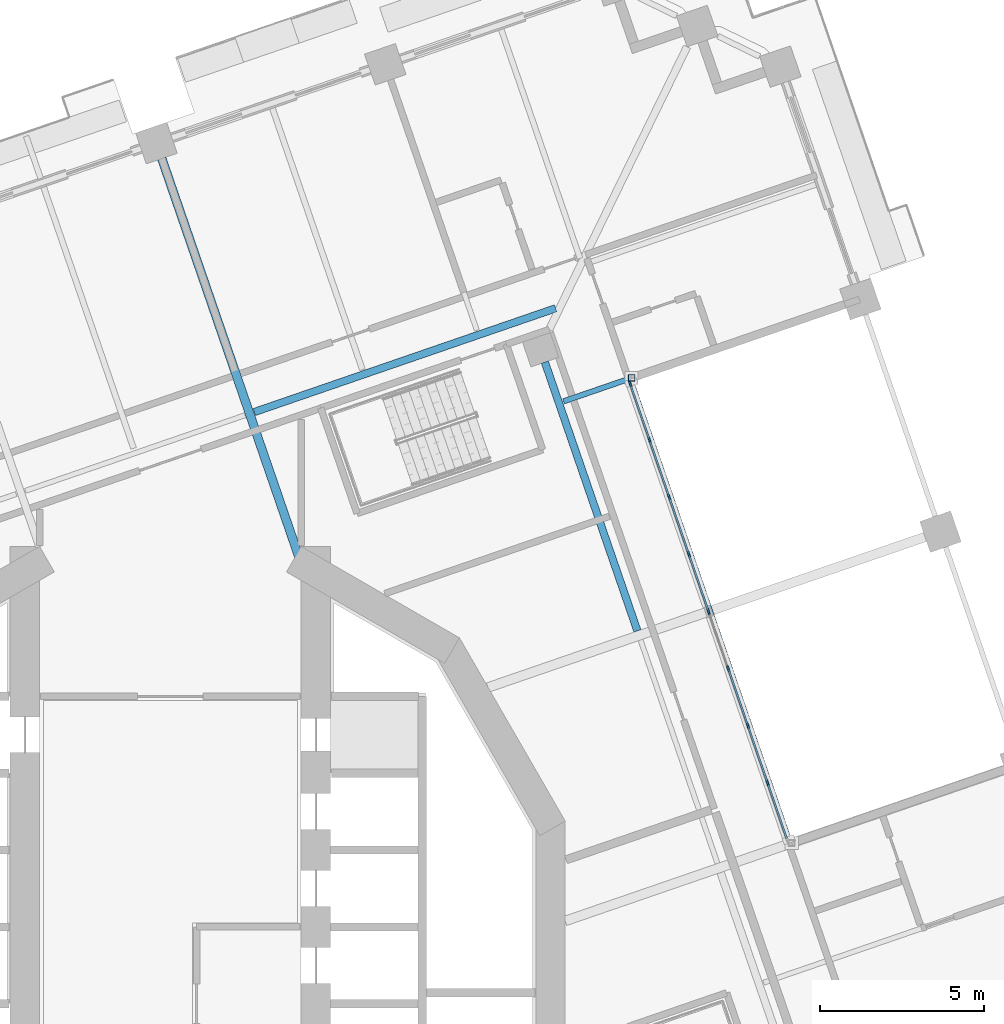
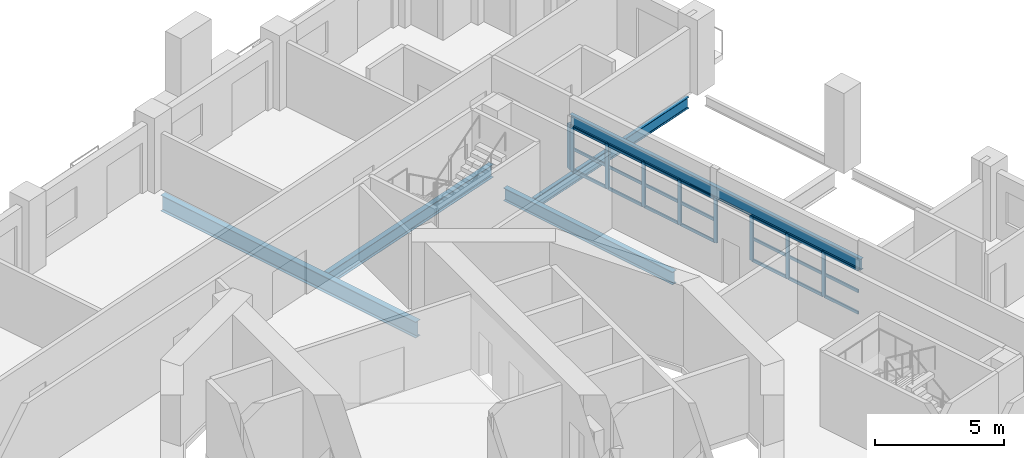
# One storey, part 4 of 19: 30 members, 5 beams, 1 element without a shape of its own.
"""IFC4 building model written with IfcOpenShell, lengths in metres."""

from ifc_helpers import new_model, si_unit, direction, frame, origin, origin_2d, place, context, subcontext, project, spatial, rectangle, hollow_rectangle, i_section, extrude, material, material_profile, profile_set, type_object, element, aggregate, save


model = new_model("IFC4")

# Units and contexts
model_context = context("Model", 3, precision=1e-05, world=origin(), true_north=direction((0.0, 1.0)))
body_context = subcontext(model_context, "Body", "Model", "MODEL_VIEW")
ifc_project = project(units=[si_unit("LENGTHUNIT", "METRE"), si_unit("AREAUNIT", "SQUARE_METRE"), si_unit("VOLUMEUNIT", "CUBIC_METRE"), si_unit("PLANEANGLEUNIT", "RADIAN"), si_unit("MASSUNIT", "GRAM", prefix="KILO")], contexts=[model_context])

# Site, building, storey
site_placement = place(None, origin())
site = spatial("IfcSite", under=ifc_project, at=site_placement, CompositionType="ELEMENT")
building_placement = place(site_placement, origin())
building = spatial("IfcBuilding", under=site, at=building_placement, Name="Cantera Rosa Tower", CompositionType="ELEMENT")
storey_placement = place(building_placement, frame((0.0, 0.0, 126.89990234375)))
storey = spatial("IfcBuildingStorey", under=building, at=storey_placement, Name="L26", CompositionType="ELEMENT", Elevation=126.89990234375)

# Curtain wall, members
ifc_material_1 = material(Name="Aluminium frame with clear glass", Category="aluminium")
curtain_wall_type = type_object("IfcCurtainWallType", Name="CW1 TERRACE POCKET GLAZING", PredefinedType="NOTDEFINED", material=ifc_material_1)
curtain_wall_placement = place(storey_placement, origin())
curtain_wall = element("IfcCurtainWall", 1, at=curtain_wall_placement, inside=storey, type_object=curtain_wall_type, Name="CW1 CW1", PredefinedType="NOTDEFINED")
ifc_material_2 = material(Name="Anodised bronze aluminium", Category="aluminium")
ifc_material_profile_1 = material_profile(ifc_material_2, rectangle(XDim=0.06005859375, YDim=0.179931640625, at=origin_2d()), Name="CW-MULLION 60x180 POCKET")
ifc_profile_set_1 = profile_set([ifc_material_profile_1], Name="Anodised bronze aluminium")
member_type_1 = type_object("IfcMemberType", Name="CW-MULLION 60x180 POCKET", PredefinedType="MULLION", material=ifc_profile_set_1)
member_1_placement = place(storey_placement, frame((18.2626953125, 4.399169921875, 0.0), z_axis=(0.0, 0.0, 1.0), x_axis=(-0.945518575605, -0.325568154441, 0.0)))
member_1 = element("IfcMember", 2, at=member_1_placement, type_object=member_type_1, Name="CW1 mullion 2", PredefinedType="MULLION", context=body_context, shape_type="SweptSolid", body=[
    extrude(rectangle(XDim=0.06005859375, YDim=0.179931640625, at=origin_2d()), origin(), (0.0, 0.0, 1.0), 2.10400390625),
])
member_2_placement = place(storey_placement, frame((17.660888671875, 6.147216796875, 0.0), z_axis=(0.0, 0.0, 1.0), x_axis=(-0.945518575605, -0.325568154441, 0.0)))
member_2 = element("IfcMember", 3, at=member_2_placement, type_object=member_type_1, Name="CW1 mullion 3", PredefinedType="MULLION", context=body_context, shape_type="SweptSolid", body=[
    extrude(rectangle(XDim=0.06005859375, YDim=0.179931640625, at=origin_2d()), origin(), (0.0, 0.0, 1.0), 2.10400390625),
])
member_3_placement = place(storey_placement, frame((17.058837890625, 7.895263671875, 0.0), z_axis=(0.0, 0.0, 1.0), x_axis=(-0.945518575605, -0.325568154441, 0.0)))
member_3 = element("IfcMember", 4, at=member_3_placement, type_object=member_type_1, Name="CW1 mullion 4", PredefinedType="MULLION", context=body_context, shape_type="SweptSolid", body=[
    extrude(rectangle(XDim=0.06005859375, YDim=0.179931640625, at=origin_2d()), origin(), (0.0, 0.0, 1.0), 2.10400390625),
])
member_4_placement = place(storey_placement, frame((16.45703125, 9.643310546875, 0.0), z_axis=(0.0, 0.0, 1.0), x_axis=(-0.945518575605, -0.325568154441, 0.0)))
member_4 = element("IfcMember", 5, at=member_4_placement, type_object=member_type_1, Name="CW1 mullion 5", PredefinedType="MULLION", context=body_context, shape_type="SweptSolid", body=[
    extrude(rectangle(XDim=0.06005859375, YDim=0.179931640625, at=origin_2d()), origin(), (0.0, 0.0, 1.0), 2.10400390625),
])
member_5_placement = place(storey_placement, frame((15.855224609375, 11.391357421875, 0.0), z_axis=(0.0, 0.0, 1.0), x_axis=(-0.945518575605, -0.325568154441, 0.0)))
member_5 = element("IfcMember", 6, at=member_5_placement, type_object=member_type_1, Name="CW1 mullion 6", PredefinedType="MULLION", context=body_context, shape_type="SweptSolid", body=[
    extrude(rectangle(XDim=0.06005859375, YDim=0.179931640625, at=origin_2d()), origin(), (0.0, 0.0, 1.0), 2.10400390625),
])
member_6_placement = place(storey_placement, frame((15.253173828125, 13.139404296875, 0.0), z_axis=(0.0, 0.0, 1.0), x_axis=(-0.945518575605, -0.325568154441, 0.0)))
member_6 = element("IfcMember", 7, at=member_6_placement, type_object=member_type_1, Name="CW1 mullion 7", PredefinedType="MULLION", context=body_context, shape_type="SweptSolid", body=[
    extrude(rectangle(XDim=0.06005859375, YDim=0.179931640625, at=origin_2d()), origin(), (0.0, 0.0, 1.0), 2.10400390625),
])
member_7_placement = place(storey_placement, frame((14.6513671875, 14.887451171875, 0.0), z_axis=(0.0, 0.0, 1.0), x_axis=(-0.945518575605, -0.325568154441, 0.0)))
member_7 = element("IfcMember", 8, at=member_7_placement, type_object=member_type_1, Name="CW1 mullion 8", PredefinedType="MULLION", context=body_context, shape_type="SweptSolid", body=[
    extrude(rectangle(XDim=0.06005859375, YDim=0.179931640625, at=origin_2d()), origin(), (0.0, 0.0, 1.0), 2.10400390625),
])
member_8_placement = place(storey_placement, frame((14.059326171875, 16.60693359375, 0.0), z_axis=(0.0, 0.0, 1.0), x_axis=(-0.945518575605, -0.325568154441, 0.0)))
member_8 = element("IfcMember", 9, at=member_8_placement, type_object=member_type_1, Name="CW1 mullion 9", PredefinedType="MULLION", context=body_context, shape_type="SweptSolid", body=[
    extrude(rectangle(XDim=0.06005859375, YDim=0.179931640625, at=origin_2d()), origin(), (0.0, 0.0, 1.0), 2.10400390625),
])
ifc_material_3 = material(Name="Anodised bronze aluminium", Category="aluminium")
ifc_material_profile_2 = material_profile(ifc_material_3, rectangle(XDim=0.06005859375, YDim=0.139892578125, at=origin_2d()), Name="CW-TRANSOM 60x140 POCKET")
ifc_profile_set_2 = profile_set([ifc_material_profile_2], Name="Anodised bronze aluminium")
member_type_2 = type_object("IfcMemberType", Name="CW-TRANSOM 60x140 POCKET", PredefinedType="USERDEFINED", material=ifc_profile_set_2)
member_9_placement = place(storey_placement, frame((18.84521484375, 2.7080078125, 0.030029296875), z_axis=(-0.325665527523, 0.945485041755, 0.0), x_axis=(-0.945485041755, -0.325665527523, 0.0)))
member_9 = element("IfcMember", 10, at=member_9_placement, type_object=member_type_2, Name="CW1 transom 1.1", ObjectType="TRANSOM", PredefinedType="USERDEFINED", context=body_context, shape_type="SweptSolid", body=[
    extrude(rectangle(XDim=0.06005859375, YDim=0.139892578125, at=origin_2d()), origin(), (0.0, 0.0, 1.0), 1.7587890625),
])
member_10_placement = place(storey_placement, frame((18.84521484375, 2.7080078125, 1.052001953125), z_axis=(-0.325665527523, 0.945485041755, 0.0), x_axis=(-0.945485041755, -0.325665527523, 0.0)))
member_10 = element("IfcMember", 11, at=member_10_placement, type_object=member_type_2, Name="CW1 transom 1.2", ObjectType="TRANSOM", PredefinedType="USERDEFINED", context=body_context, shape_type="SweptSolid", body=[
    extrude(rectangle(XDim=0.06005859375, YDim=0.139892578125, at=origin_2d()), origin(), (0.0, 0.0, 1.0), 1.7587890625),
])
member_11_placement = place(storey_placement, frame((18.84521484375, 2.7080078125, 2.07421875), z_axis=(-0.325665527523, 0.945485041755, 0.0), x_axis=(-0.945485041755, -0.325665527523, 0.0)))
member_11 = element("IfcMember", 12, at=member_11_placement, type_object=member_type_2, Name="CW1 transom 1.3", ObjectType="TRANSOM", PredefinedType="USERDEFINED", context=body_context, shape_type="SweptSolid", body=[
    extrude(rectangle(XDim=0.06005859375, YDim=0.139892578125, at=origin_2d()), origin(), (0.0, 0.0, 1.0), 1.7587890625),
])
member_12_placement = place(storey_placement, frame((18.2529296875, 4.427490234375, 0.030029296875), z_axis=(-0.325506938428, 0.945539651752, 0.0), x_axis=(-0.945539651752, -0.325506938428, 0.0)))
member_12 = element("IfcMember", 13, at=member_12_placement, type_object=member_type_2, Name="CW1 transom 2.1", ObjectType="TRANSOM", PredefinedType="USERDEFINED", context=body_context, shape_type="SweptSolid", body=[
    extrude(rectangle(XDim=0.06005859375, YDim=0.139892578125, at=origin_2d()), origin(), (0.0, 0.0, 1.0), 1.788818359375),
])
member_13_placement = place(storey_placement, frame((18.2529296875, 4.427490234375, 1.052001953125), z_axis=(-0.325506938428, 0.945539651752, 0.0), x_axis=(-0.945539651752, -0.325506938428, 0.0)))
member_13 = element("IfcMember", 14, at=member_13_placement, type_object=member_type_2, Name="CW1 transom 2.2", ObjectType="TRANSOM", PredefinedType="USERDEFINED", context=body_context, shape_type="SweptSolid", body=[
    extrude(rectangle(XDim=0.06005859375, YDim=0.139892578125, at=origin_2d()), origin(), (0.0, 0.0, 1.0), 1.788818359375),
])
member_14_placement = place(storey_placement, frame((18.2529296875, 4.427490234375, 2.07421875), z_axis=(-0.325506938428, 0.945539651752, 0.0), x_axis=(-0.945539651752, -0.325506938428, 0.0)))
member_14 = element("IfcMember", 15, at=member_14_placement, type_object=member_type_2, Name="CW1 transom 2.3", ObjectType="TRANSOM", PredefinedType="USERDEFINED", context=body_context, shape_type="SweptSolid", body=[
    extrude(rectangle(XDim=0.06005859375, YDim=0.139892578125, at=origin_2d()), origin(), (0.0, 0.0, 1.0), 1.788818359375),
])
member_15_placement = place(storey_placement, frame((17.651123046875, 6.175537109375, 0.030029296875), z_axis=(-0.325628950391, 0.945497639694, 0.0), x_axis=(-0.945497639694, -0.325628950391, 0.0)))
member_15 = element("IfcMember", 16, at=member_15_placement, type_object=member_type_2, Name="CW1 transom 3.1", ObjectType="TRANSOM", PredefinedType="USERDEFINED", context=body_context, shape_type="SweptSolid", body=[
    extrude(rectangle(XDim=0.06005859375, YDim=0.139892578125, at=origin_2d()), origin(), (0.0, 0.0, 1.0), 1.788818359375),
])
member_16_placement = place(storey_placement, frame((17.651123046875, 6.175537109375, 1.052001953125), z_axis=(-0.325628950391, 0.945497639694, 0.0), x_axis=(-0.945497639694, -0.325628950391, 0.0)))
member_16 = element("IfcMember", 17, at=member_16_placement, type_object=member_type_2, Name="CW1 transom 3.2", ObjectType="TRANSOM", PredefinedType="USERDEFINED", context=body_context, shape_type="SweptSolid", body=[
    extrude(rectangle(XDim=0.06005859375, YDim=0.139892578125, at=origin_2d()), origin(), (0.0, 0.0, 1.0), 1.788818359375),
])
member_17_placement = place(storey_placement, frame((17.651123046875, 6.175537109375, 2.07421875), z_axis=(-0.325628950391, 0.945497639694, 0.0), x_axis=(-0.945497639694, -0.325628950391, 0.0)))
member_17 = element("IfcMember", 18, at=member_17_placement, type_object=member_type_2, Name="CW1 transom 3.3", ObjectType="TRANSOM", PredefinedType="USERDEFINED", context=body_context, shape_type="SweptSolid", body=[
    extrude(rectangle(XDim=0.06005859375, YDim=0.139892578125, at=origin_2d()), origin(), (0.0, 0.0, 1.0), 1.788818359375),
])
member_18_placement = place(storey_placement, frame((16.447265625, 9.671630859375, 0.030029296875), z_axis=(-0.325506938428, 0.945539651752, 0.0), x_axis=(-0.945539651752, -0.325506938428, 0.0)))
member_18 = element("IfcMember", 19, at=member_18_placement, type_object=member_type_2, Name="CW1 transom 5.1", ObjectType="TRANSOM", PredefinedType="USERDEFINED", context=body_context, shape_type="SweptSolid", body=[
    extrude(rectangle(XDim=0.06005859375, YDim=0.139892578125, at=origin_2d()), origin(), (0.0, 0.0, 1.0), 1.788818359375),
])
member_19_placement = place(storey_placement, frame((16.447265625, 9.671630859375, 1.052001953125), z_axis=(-0.325506938428, 0.945539651752, 0.0), x_axis=(-0.945539651752, -0.325506938428, 0.0)))
member_19 = element("IfcMember", 20, at=member_19_placement, type_object=member_type_2, Name="CW1 transom 5.2", ObjectType="TRANSOM", PredefinedType="USERDEFINED", context=body_context, shape_type="SweptSolid", body=[
    extrude(rectangle(XDim=0.06005859375, YDim=0.139892578125, at=origin_2d()), origin(), (0.0, 0.0, 1.0), 1.788818359375),
])
member_20_placement = place(storey_placement, frame((16.447265625, 9.671630859375, 2.07421875), z_axis=(-0.325506938428, 0.945539651752, 0.0), x_axis=(-0.945539651752, -0.325506938428, 0.0)))
member_20 = element("IfcMember", 21, at=member_20_placement, type_object=member_type_2, Name="CW1 transom 5.3", ObjectType="TRANSOM", PredefinedType="USERDEFINED", context=body_context, shape_type="SweptSolid", body=[
    extrude(rectangle(XDim=0.06005859375, YDim=0.139892578125, at=origin_2d()), origin(), (0.0, 0.0, 1.0), 1.788818359375),
])
member_21_placement = place(storey_placement, frame((15.845458984375, 11.419677734375, 0.030029296875), z_axis=(-0.325628950391, 0.945497639694, 0.0), x_axis=(-0.945497639694, -0.325628950391, 0.0)))
member_21 = element("IfcMember", 22, at=member_21_placement, type_object=member_type_2, Name="CW1 transom 6.1", ObjectType="TRANSOM", PredefinedType="USERDEFINED", context=body_context, shape_type="SweptSolid", body=[
    extrude(rectangle(XDim=0.06005859375, YDim=0.139892578125, at=origin_2d()), origin(), (0.0, 0.0, 1.0), 1.788818359375),
])
member_22_placement = place(storey_placement, frame((15.845458984375, 11.419677734375, 1.052001953125), z_axis=(-0.325628950391, 0.945497639694, 0.0), x_axis=(-0.945497639694, -0.325628950391, 0.0)))
member_22 = element("IfcMember", 23, at=member_22_placement, type_object=member_type_2, Name="CW1 transom 6.2", ObjectType="TRANSOM", PredefinedType="USERDEFINED", context=body_context, shape_type="SweptSolid", body=[
    extrude(rectangle(XDim=0.06005859375, YDim=0.139892578125, at=origin_2d()), origin(), (0.0, 0.0, 1.0), 1.788818359375),
])
member_23_placement = place(storey_placement, frame((15.845458984375, 11.419677734375, 2.07421875), z_axis=(-0.325628950391, 0.945497639694, 0.0), x_axis=(-0.945497639694, -0.325628950391, 0.0)))
member_23 = element("IfcMember", 24, at=member_23_placement, type_object=member_type_2, Name="CW1 transom 6.3", ObjectType="TRANSOM", PredefinedType="USERDEFINED", context=body_context, shape_type="SweptSolid", body=[
    extrude(rectangle(XDim=0.06005859375, YDim=0.139892578125, at=origin_2d()), origin(), (0.0, 0.0, 1.0), 1.788818359375),
])
member_24_placement = place(storey_placement, frame((15.243408203125, 13.167724609375, 0.030029296875), z_axis=(-0.32554894958, 0.945525188151, 0.0), x_axis=(-0.945525188151, -0.32554894958, 0.0)))
member_24 = element("IfcMember", 25, at=member_24_placement, type_object=member_type_2, Name="CW1 transom 7.1", ObjectType="TRANSOM", PredefinedType="USERDEFINED", context=body_context, shape_type="SweptSolid", body=[
    extrude(rectangle(XDim=0.06005859375, YDim=0.139892578125, at=origin_2d()), origin(), (0.0, 0.0, 1.0), 1.78857421875),
])
member_25_placement = place(storey_placement, frame((15.243408203125, 13.167724609375, 1.052001953125), z_axis=(-0.32554894958, 0.945525188151, 0.0), x_axis=(-0.945525188151, -0.32554894958, 0.0)))
member_25 = element("IfcMember", 26, at=member_25_placement, type_object=member_type_2, Name="CW1 transom 7.2", ObjectType="TRANSOM", PredefinedType="USERDEFINED", context=body_context, shape_type="SweptSolid", body=[
    extrude(rectangle(XDim=0.06005859375, YDim=0.139892578125, at=origin_2d()), origin(), (0.0, 0.0, 1.0), 1.78857421875),
])
member_26_placement = place(storey_placement, frame((15.243408203125, 13.167724609375, 2.07421875), z_axis=(-0.32554894958, 0.945525188151, 0.0), x_axis=(-0.945525188151, -0.32554894958, 0.0)))
member_26 = element("IfcMember", 27, at=member_26_placement, type_object=member_type_2, Name="CW1 transom 7.3", ObjectType="TRANSOM", PredefinedType="USERDEFINED", context=body_context, shape_type="SweptSolid", body=[
    extrude(rectangle(XDim=0.06005859375, YDim=0.139892578125, at=origin_2d()), origin(), (0.0, 0.0, 1.0), 1.78857421875),
])
member_27_placement = place(storey_placement, frame((14.6416015625, 14.915771484375, 0.030029296875), z_axis=(-0.325541424444, 0.945527779058, 0.0), x_axis=(-0.945527779058, -0.325541424444, 0.0)))
member_27 = element("IfcMember", 28, at=member_27_placement, type_object=member_type_2, Name="CW1 transom 8.1", ObjectType="TRANSOM", PredefinedType="USERDEFINED", context=body_context, shape_type="SweptSolid", body=[
    extrude(rectangle(XDim=0.06005859375, YDim=0.139892578125, at=origin_2d()), origin(), (0.0, 0.0, 1.0), 1.758544921875),
])
member_28_placement = place(storey_placement, frame((14.6416015625, 14.915771484375, 1.052001953125), z_axis=(-0.325541424444, 0.945527779058, 0.0), x_axis=(-0.945527779058, -0.325541424444, 0.0)))
member_28 = element("IfcMember", 29, at=member_28_placement, type_object=member_type_2, Name="CW1 transom 8.2", ObjectType="TRANSOM", PredefinedType="USERDEFINED", context=body_context, shape_type="SweptSolid", body=[
    extrude(rectangle(XDim=0.06005859375, YDim=0.139892578125, at=origin_2d()), origin(), (0.0, 0.0, 1.0), 1.758544921875),
])
member_29_placement = place(storey_placement, frame((14.6416015625, 14.915771484375, 2.07421875), z_axis=(-0.325541424444, 0.945527779058, 0.0), x_axis=(-0.945527779058, -0.325541424444, 0.0)))
member_29 = element("IfcMember", 30, at=member_29_placement, type_object=member_type_2, Name="CW1 transom 8.3", ObjectType="TRANSOM", PredefinedType="USERDEFINED", context=body_context, shape_type="SweptSolid", body=[
    extrude(rectangle(XDim=0.06005859375, YDim=0.139892578125, at=origin_2d()), origin(), (0.0, 0.0, 1.0), 1.758544921875),
])
aggregate(curtain_wall, [member_1, member_2, member_3, member_4, member_5, member_6, member_7, member_8, member_9, member_10, member_11, member_12, member_13, member_14, member_15, member_16, member_17, member_18, member_19, member_20, member_21, member_22, member_23, member_24, member_25, member_26, member_27, member_28, member_29])

# Member
ifc_material_4 = material(Name="Steel ASTM A992 (Fy 345 MPa)", Category="steel")
ifc_material_profile_3 = material_profile(ifc_material_4, hollow_rectangle(XDim=0.199951171875, YDim=0.199951171875, WallThickness=0.010009765625, at=origin_2d()), Name="LINTEL POST RHS 200x200x10")
ifc_profile_set_3 = profile_set([ifc_material_profile_3], Name="Steel ASTM A992 (Fy 345 MPa)")
member_type_3 = type_object("IfcMemberType", Name="LINTEL POST RHS 200x200x10", PredefinedType="USERDEFINED", material=ifc_profile_set_3)
member_30_placement = place(storey_placement, frame((14.103271484375, 16.7861328125, 0.0), z_axis=(0.0, 0.0, 1.0), x_axis=(1.0, 0.0, 0.0)))
element("IfcMember", 31, at=member_30_placement, inside=storey, type_object=member_type_3, Name="LINTEL POST L26-2", ObjectType="LINTEL POST", PredefinedType="USERDEFINED", context=body_context, shape_type="SweptSolid", body=[
    extrude(hollow_rectangle(XDim=0.199951171875, YDim=0.199951171875, WallThickness=0.010009765625, at=origin_2d()), origin(), (0.0, 0.0, 1.0), 2.106201171875),
])

# Beams
ifc_material_5 = material(Name="Steel ASTM A992 (Fy 345 MPa)", Category="steel")
ifc_material_profile_4 = material_profile(ifc_material_5, i_section(OverallWidth=0.166015625, OverallDepth=0.528076171875, WebThickness=0.009765625, FlangeThickness=0.013671875, FilletRadius=0.0126953125, at=origin_2d()), Name="W530X74")
ifc_profile_set_4 = profile_set([ifc_material_profile_4], Name="Steel ASTM A992 (Fy 345 MPa)")
beam_type_1 = type_object("IfcBeamType", Name="STEEL BEAM W530X74", PredefinedType="BEAM", material=ifc_profile_set_4)
beam_1_placement = place(storey_placement, frame((20.62744140625, 19.032470703125, -0.513916015625), z_axis=(-0.94551971591, -0.325564842737, 0.0), x_axis=(0.325564842737, -0.94551971591, 0.0)))
element("IfcBeam", 32, at=beam_1_placement, inside=storey, type_object=beam_type_1, Name="G-Z2-04 L26", PredefinedType="BEAM", context=body_context, shape_type="SweptSolid", body=[
    extrude(i_section(OverallWidth=0.166015625, OverallDepth=0.528076171875, WebThickness=0.009765625, FlangeThickness=0.013671875, FilletRadius=0.0126953125, at=origin_2d()), origin(), (0.0, 0.0, 1.0), 9.10009765625),
])
beam_2_placement = place(storey_placement, frame((18.936279296875, 2.596435546875, 2.3701171875), z_axis=(-0.325566108702, 0.945519280007, 0.0), x_axis=(-0.945519280007, -0.325566108702, 0.0)))
element("IfcBeam", 33, at=beam_2_placement, inside=storey, type_object=beam_type_1, Name="LINTEL SL-L26", PredefinedType="BEAM", context=body_context, shape_type="SweptSolid", body=[
    extrude(i_section(OverallWidth=0.166015625, OverallDepth=0.528076171875, WebThickness=0.009765625, FlangeThickness=0.013671875, FilletRadius=0.0126953125, at=origin_2d()), origin(), (0.0, 0.0, 1.0), 14.940185546875),
])
ifc_material_6 = material(Name="Steel ASTM A992 (Fy 345 MPa)", Category="steel")
ifc_material_profile_5 = material_profile(ifc_material_6, i_section(OverallWidth=0.22802734375, OverallDepth=0.60205078125, WebThickness=0.010498046875, FlangeThickness=0.014892578125, FilletRadius=0.0126953125, at=origin_2d()), Name="W610X101")
ifc_profile_set_5 = profile_set([ifc_material_profile_5], Name="Steel ASTM A992 (Fy 345 MPa)")
beam_type_2 = type_object("IfcBeamType", Name="STEEL BEAM W610X101", PredefinedType="BEAM", material=ifc_profile_set_5)
beam_3_placement = place(storey_placement, frame((14.28076171875, 9.052490234375, -0.55078125), z_axis=(-0.325559468466, 0.945521566381, 0.0), x_axis=(-0.945521566381, -0.325559468466, 0.0)))
element("IfcBeam", 34, at=beam_3_placement, inside=storey, type_object=beam_type_2, Name="RB-Z2-11 L26", PredefinedType="BEAM", context=body_context, shape_type="SweptSolid", body=[
    extrude(i_section(OverallWidth=0.22802734375, OverallDepth=0.60205078125, WebThickness=0.010498046875, FlangeThickness=0.014892578125, FilletRadius=0.0126953125, at=origin_2d()), origin(), (0.0, 0.0, 1.0), 8.68994140625),
])
ifc_material_7 = material(Name="Steel ASTM A992 (Fy 345 MPa)", Category="steel")
ifc_material_profile_6 = material_profile(ifc_material_7, i_section(OverallWidth=0.22900390625, OverallDepth=0.612060546875, WebThickness=0.011962890625, FlangeThickness=0.01953125, FilletRadius=0.0126953125, at=origin_2d()), Name="W610X125")
ifc_profile_set_6 = profile_set([ifc_material_profile_6], Name="Steel ASTM A992 (Fy 345 MPa)")
beam_type_3 = type_object("IfcBeamType", Name="STEEL BEAM W610X125", PredefinedType="BEAM", material=ifc_profile_set_6)
beam_4_placement = place(storey_placement, frame((2.564453125, 15.74267578125, -0.555908203125), z_axis=(0.945524824291, 0.325550006372, 0.0), x_axis=(-0.325550006372, 0.945524824291, 0.0)))
element("IfcBeam", 35, at=beam_4_placement, inside=storey, type_object=beam_type_3, Name="RB-Z2-04 L26", PredefinedType="BEAM", context=body_context, shape_type="SweptSolid", body=[
    extrude(i_section(OverallWidth=0.22900390625, OverallDepth=0.612060546875, WebThickness=0.011962890625, FlangeThickness=0.01953125, FilletRadius=0.0126953125, at=origin_2d()), origin(), (0.0, 0.0, 1.0), 9.749755859375),
])
ifc_material_8 = material(Name="Steel ASTM A992 (Fy 345 MPa)", Category="steel")
ifc_material_profile_7 = material_profile(ifc_material_8, i_section(OverallWidth=0.26708984375, OverallDepth=0.75390625, WebThickness=0.01318359375, FlangeThickness=0.01708984375, FilletRadius=0.0166015625, at=origin_2d()), Name="W760X147")
ifc_profile_set_7 = profile_set([ifc_material_profile_7], Name="Steel ASTM A992 (Fy 345 MPa)")
beam_type_4 = type_object("IfcBeamType", Name="STEEL BEAM W760X147", PredefinedType="BEAM", material=ifc_profile_set_7)
beam_5_placement = place(storey_placement, frame((-0.263427734375, 23.494384765625, -0.626953125), z_axis=(0.325569500581, -0.945518112091, 0.0), x_axis=(0.945518112091, 0.325569500581, 0.0)))
element("IfcBeam", 36, at=beam_5_placement, inside=storey, type_object=beam_type_4, Name="G-Z2-06 L26", PredefinedType="BEAM", context=body_context, shape_type="SweptSolid", body=[
    extrude(i_section(OverallWidth=0.26708984375, OverallDepth=0.75390625, WebThickness=0.01318359375, FlangeThickness=0.01708984375, FilletRadius=0.0166015625, at=origin_2d()), origin(), (0.0, 0.0, 1.0), 13.09521484375),
])

save(model, "model.ifc")
